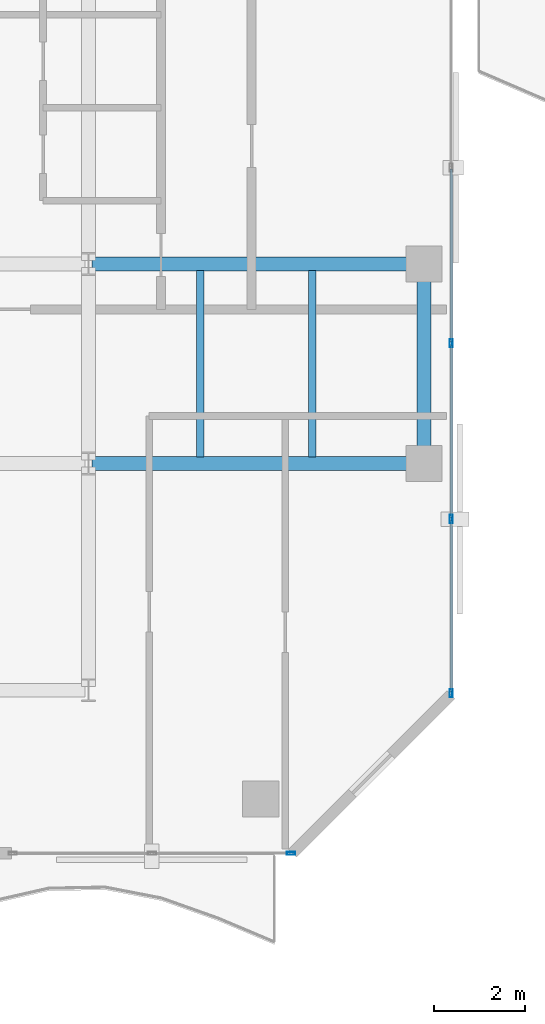
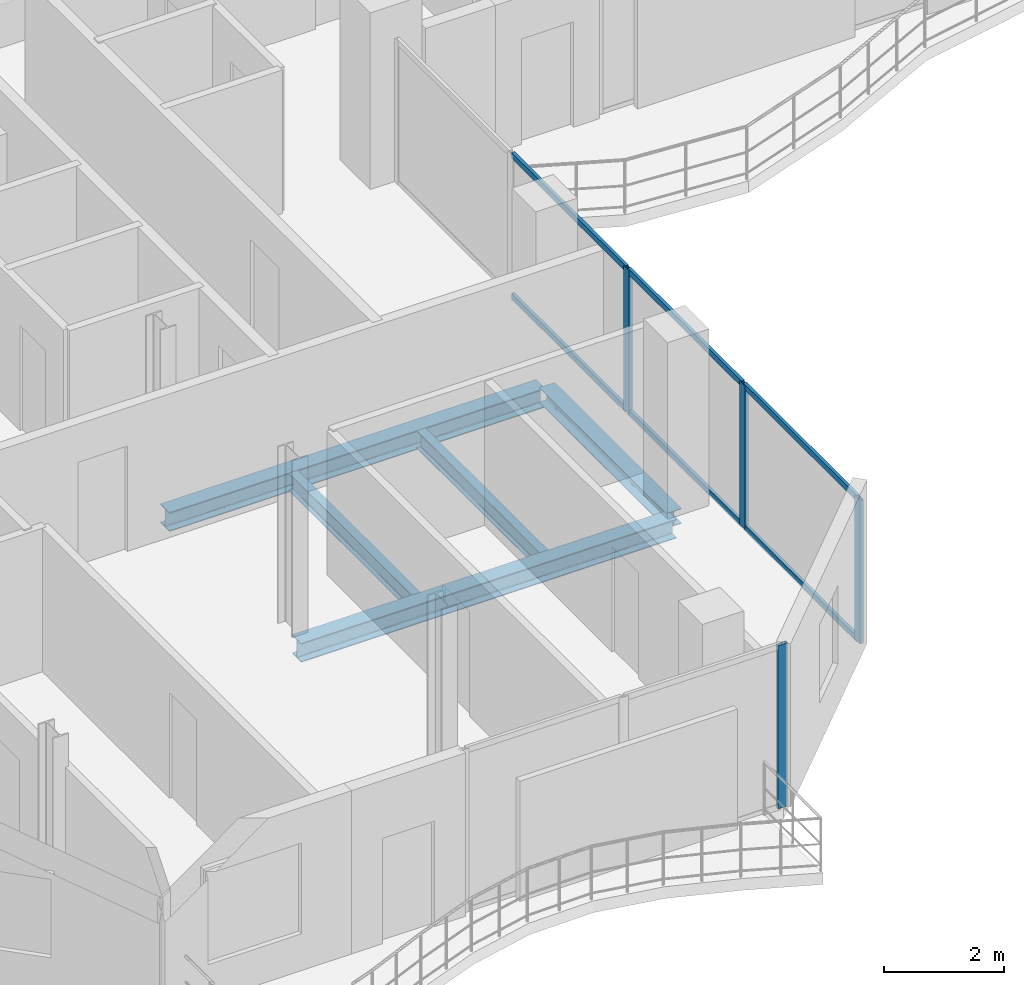
# One storey, part 6 of 24: 10 members, 5 beams, 2 elements without a shape of their own.
"""IFC4 building model written with IfcOpenShell, lengths in metres."""

from ifc_helpers import new_model, si_unit, direction, frame, origin, origin_2d, place, context, subcontext, project, spatial, hollow_rectangle, i_section, extrude, material, layer, layer_set, material_profile, profile_set, type_object, element, aggregate, save


model = new_model("IFC4")

# Units and contexts
model_context = context("Model", 3, precision=1e-05, world=origin(), true_north=direction((0.0, 1.0)))
body_context = subcontext(model_context, "Body", "Model", "MODEL_VIEW")
ifc_project = project(units=[si_unit("LENGTHUNIT", "METRE"), si_unit("AREAUNIT", "SQUARE_METRE"), si_unit("VOLUMEUNIT", "CUBIC_METRE"), si_unit("PLANEANGLEUNIT", "RADIAN"), si_unit("MASSUNIT", "GRAM", prefix="KILO")], contexts=[model_context])

# Site, building, storey
site_placement = place(None, origin())
site = spatial("IfcSite", under=ifc_project, at=site_placement, CompositionType="ELEMENT")
building_placement = place(site_placement, origin())
building = spatial("IfcBuilding", under=site, at=building_placement, Name="Catumbela Crestline Tower", CompositionType="ELEMENT")
storey_placement = place(building_placement, frame((0.0, 0.0, 154.2)))
storey = spatial("IfcBuildingStorey", under=building, at=storey_placement, Name="L39", CompositionType="ELEMENT", Elevation=154.2)

# Beams
ifc_material_1 = material(Name="Structural steel S355J2", Category="steel")
ifc_material_profile_1 = material_profile(ifc_material_1, i_section(OverallWidth=0.3, OverallDepth=0.39, WebThickness=0.011, FlangeThickness=0.019, FilletRadius=0.027, at=origin_2d()), Name="HEA 400")
ifc_profile_set_1 = profile_set([ifc_material_profile_1], Name="Structural steel S355J2")
beam_type_1 = type_object("IfcBeamType", Name="BG-HEA400", PredefinedType="BEAM", material=ifc_profile_set_1)
for number, where, z_axis, x_axis, name in (
    (1, (16.08, 13.6, -0.455), (1.0, 0.0, 0.0), (0.0, 1.0, 0.0), "L39 Beam BM-L39-WEW34"),
    (2, (16.08, 18.0, -0.455), (1.0, 0.0, 0.0), (0.0, 1.0, 0.0), "L39 Beam BM-L39-WEW36"),
):
    element("IfcBeam", number, at=place(storey_placement, frame(where, z_axis=z_axis, x_axis=x_axis)), inside=storey, type_object=beam_type_1, Name=name, PredefinedType="BEAM", context=body_context, shape_type="SweptSolid", body=[
        extrude(i_section(OverallWidth=0.3, OverallDepth=0.39, WebThickness=0.011, FlangeThickness=0.019, FilletRadius=0.027, at=origin_2d()), origin(), (0.0, 0.0, 1.0), 7.24),
    ])
ifc_material_profile_2 = material_profile(ifc_material_1, i_section(OverallWidth=0.17, OverallDepth=0.36, WebThickness=0.008, FlangeThickness=0.0127, FilletRadius=0.018, at=origin_2d()), Name="IPE 360")
ifc_profile_set_2 = profile_set([ifc_material_profile_2], Name="Structural steel S355J2")
beam_type_2 = type_object("IfcBeamType", Name="BJ-IPE360", PredefinedType="JOIST", material=ifc_profile_set_2)
for number, where, z_axis, x_axis, name in (
    (3, (18.467, 13.747, -0.44), (0.0, 1.0, 0.0), (-1.0, 0.0, 0.0), "L39 Joist JS-L39-WG48"),
    (4, (20.933, 13.747, -0.44), (0.0, 1.0, 0.0), (-1.0, 0.0, 0.0), "L39 Joist JS-L39-WG49"),
):
    element("IfcBeam", number, at=place(storey_placement, frame(where, z_axis=z_axis, x_axis=x_axis)), inside=storey, type_object=beam_type_2, Name=name, PredefinedType="JOIST", context=body_context, shape_type="SweptSolid", body=[
        extrude(i_section(OverallWidth=0.17, OverallDepth=0.36, WebThickness=0.008, FlangeThickness=0.0127, FilletRadius=0.018, at=origin_2d()), origin(), (0.0, 0.0, 1.0), 4.106),
    ])

# Curtain wall, member
ifc_material_2 = material(Name="Aluminium alloy AW-6060-T66", Category="aluminium")
ifc_layer = layer(ifc_material_2, 0.18, Name="Aluminium alloy AW-6060-T66")
ifc_layer_set = layer_set([ifc_layer], Name="Aluminium alloy AW-6060-T66")
curtain_wall_type = type_object("IfcCurtainWallType", Name="CWU-Z3", PredefinedType="USERDEFINED", material=ifc_layer_set)
curtain_wall_1_placement = place(storey_placement, origin())
curtain_wall_1 = element("IfcCurtainWall", 5, at=curtain_wall_1_placement, inside=storey, type_object=curtain_wall_type, Name="L39 Unitised Curtain Wall CW-L39-E0S2", ObjectType="UNITISED", PredefinedType="USERDEFINED")
ifc_material_profile_3 = material_profile(ifc_material_2, hollow_rectangle(XDim=0.065, YDim=0.18, WallThickness=0.004, at=origin_2d()), Name="ALU 180x65x4")
ifc_profile_set_3 = profile_set([ifc_material_profile_3], Name="Aluminium alloy AW-6060-T66")
member_type_1 = type_object("IfcMemberType", Name="MUL-180X65", PredefinedType="MULLION", material=ifc_profile_set_3)
member_1_placement = place(storey_placement, frame((20.4675, 5.0, 0.0), z_axis=(0.0, 0.0, 1.0), x_axis=(0.0, 1.0, 0.0)))
member_1 = element("IfcMember", 6, at=member_1_placement, type_object=member_type_1, Name="CWU-Z3 mullion 3", PredefinedType="MULLION", context=body_context, shape_type="SweptSolid", body=[
    extrude(hollow_rectangle(XDim=0.065, YDim=0.18, WallThickness=0.004, at=origin_2d()), origin(), (0.0, 0.0, 1.0), 3.33),
])
aggregate(curtain_wall_1, [member_1])

# Curtain wall, members
curtain_wall_2_placement = place(storey_placement, origin())
curtain_wall_2 = element("IfcCurtainWall", 7, at=curtain_wall_2_placement, inside=storey, type_object=curtain_wall_type, Name="L39 Unitised Curtain Wall CW-L39-E2S1", ObjectType="UNITISED", PredefinedType="USERDEFINED")
member_2_placement = place(storey_placement, frame((24.0, 8.5325, 0.0), z_axis=(0.0, 0.0, 1.0), x_axis=(-1.0, 0.0, 0.0)))
member_2 = element("IfcMember", 8, at=member_2_placement, type_object=member_type_1, Name="CWU-Z3 mullion 1", PredefinedType="MULLION", context=body_context, shape_type="SweptSolid", body=[
    extrude(hollow_rectangle(XDim=0.065, YDim=0.18, WallThickness=0.004, at=origin_2d()), origin(), (0.0, 0.0, 1.0), 2.93),
])
member_3_placement = place(storey_placement, frame((24.0, 12.375, 0.0), z_axis=(0.0, 0.0, 1.0), x_axis=(-1.0, 0.0, 0.0)))
member_3 = element("IfcMember", 9, at=member_3_placement, type_object=member_type_1, Name="CWU-Z3 mullion 2", PredefinedType="MULLION", context=body_context, shape_type="SweptSolid", body=[
    extrude(hollow_rectangle(XDim=0.065, YDim=0.18, WallThickness=0.004, at=origin_2d()), origin(), (0.0, 0.0, 1.0), 2.93),
])
member_4_placement = place(storey_placement, frame((24.0, 16.25, 0.0), z_axis=(0.0, 0.0, 1.0), x_axis=(-1.0, 0.0, 0.0)))
member_4 = element("IfcMember", 10, at=member_4_placement, type_object=member_type_1, Name="CWU-Z3 mullion 3", PredefinedType="MULLION", context=body_context, shape_type="SweptSolid", body=[
    extrude(hollow_rectangle(XDim=0.065, YDim=0.18, WallThickness=0.004, at=origin_2d()), origin(), (0.0, 0.0, 1.0), 2.93),
])

# Beam
ifc_material_profile_4 = material_profile(ifc_material_1, i_section(OverallWidth=0.3, OverallDepth=0.31, WebThickness=0.009, FlangeThickness=0.0155, FilletRadius=0.027, at=origin_2d()), Name="HEA 320")
ifc_profile_set_4 = profile_set([ifc_material_profile_4], Name="Structural steel S355J2")
beam_type_3 = type_object("IfcBeamType", Name="BS-HEA320", PredefinedType="SPANDREL", material=ifc_profile_set_4)
beam_placement = place(storey_placement, frame((23.4, 13.68, -0.415), z_axis=(0.0, 1.0, 0.0), x_axis=(-1.0, 0.0, 0.0)))
element("IfcBeam", 11, at=beam_placement, inside=storey, type_object=beam_type_3, Name="L39 Spandrel SP-L39-WNS43", PredefinedType="SPANDREL", context=body_context, shape_type="SweptSolid", body=[
    extrude(i_section(OverallWidth=0.3, OverallDepth=0.31, WebThickness=0.009, FlangeThickness=0.0155, FilletRadius=0.027, at=origin_2d()), origin(), (0.0, 0.0, 1.0), 4.24),
])

# Member
ifc_material_profile_5 = material_profile(ifc_material_2, hollow_rectangle(XDim=0.06, YDim=0.12, WallThickness=0.0035, at=origin_2d()), Name="ALU 120x60x3.5")
ifc_profile_set_5 = profile_set([ifc_material_profile_5], Name="Aluminium alloy AW-6060-T66")
member_type_2 = type_object("IfcMemberType", Name="TRN-120X60", PredefinedType="USERDEFINED", material=ifc_profile_set_5)
member_5_placement = place(storey_placement, frame((24.0, 8.565, 0.03), z_axis=(0.0, 1.0, 0.0), x_axis=(-1.0, 0.0, 0.0)))
member_5 = element("IfcMember", 12, at=member_5_placement, type_object=member_type_2, Name="CWU-Z3 transom 1.1", ObjectType="TRANSOM", PredefinedType="USERDEFINED", context=body_context, shape_type="SweptSolid", body=[
    extrude(hollow_rectangle(XDim=0.06, YDim=0.12, WallThickness=0.0035, at=origin_2d()), origin(), (0.0, 0.0, 1.0), 3.7775),
])

member_6_placement = place(storey_placement, frame((24.0, 8.565, 2.9), z_axis=(0.0, 1.0, 0.0), x_axis=(-1.0, 0.0, 0.0)))
member_6 = element("IfcMember", 13, at=member_6_placement, type_object=member_type_2, Name="CWU-Z3 transom 1.2", ObjectType="TRANSOM", PredefinedType="USERDEFINED", context=body_context, shape_type="SweptSolid", body=[
    extrude(hollow_rectangle(XDim=0.06, YDim=0.12, WallThickness=0.0035, at=origin_2d()), origin(), (0.0, 0.0, 1.0), 3.7775),
])

member_7_placement = place(storey_placement, frame((24.0, 12.4075, 0.03), z_axis=(0.0, 1.0, 0.0), x_axis=(-1.0, 0.0, 0.0)))
member_7 = element("IfcMember", 14, at=member_7_placement, type_object=member_type_2, Name="CWU-Z3 transom 2.1", ObjectType="TRANSOM", PredefinedType="USERDEFINED", context=body_context, shape_type="SweptSolid", body=[
    extrude(hollow_rectangle(XDim=0.06, YDim=0.12, WallThickness=0.0035, at=origin_2d()), origin(), (0.0, 0.0, 1.0), 3.81),
])

member_8_placement = place(storey_placement, frame((24.0, 12.4075, 2.9), z_axis=(0.0, 1.0, 0.0), x_axis=(-1.0, 0.0, 0.0)))
member_8 = element("IfcMember", 15, at=member_8_placement, type_object=member_type_2, Name="CWU-Z3 transom 2.2", ObjectType="TRANSOM", PredefinedType="USERDEFINED", context=body_context, shape_type="SweptSolid", body=[
    extrude(hollow_rectangle(XDim=0.06, YDim=0.12, WallThickness=0.0035, at=origin_2d()), origin(), (0.0, 0.0, 1.0), 3.81),
])

member_9_placement = place(storey_placement, frame((24.0, 16.2825, 0.03), z_axis=(0.0, 1.0, 0.0), x_axis=(-1.0, 0.0, 0.0)))
member_9 = element("IfcMember", 16, at=member_9_placement, type_object=member_type_2, Name="CWU-Z3 transom 3.1", ObjectType="TRANSOM", PredefinedType="USERDEFINED", context=body_context, shape_type="SweptSolid", body=[
    extrude(hollow_rectangle(XDim=0.06, YDim=0.12, WallThickness=0.0035, at=origin_2d()), origin(), (0.0, 0.0, 1.0), 3.81),
])

member_10_placement = place(storey_placement, frame((24.0, 16.2825, 2.9), z_axis=(0.0, 1.0, 0.0), x_axis=(-1.0, 0.0, 0.0)))
member_10 = element("IfcMember", 17, at=member_10_placement, type_object=member_type_2, Name="CWU-Z3 transom 3.2", ObjectType="TRANSOM", PredefinedType="USERDEFINED", context=body_context, shape_type="SweptSolid", body=[
    extrude(hollow_rectangle(XDim=0.06, YDim=0.12, WallThickness=0.0035, at=origin_2d()), origin(), (0.0, 0.0, 1.0), 3.81),
])

aggregate(curtain_wall_2, [member_2, member_3, member_4, member_5, member_6, member_7, member_8, member_9, member_10])

save(model, "model.ifc")
